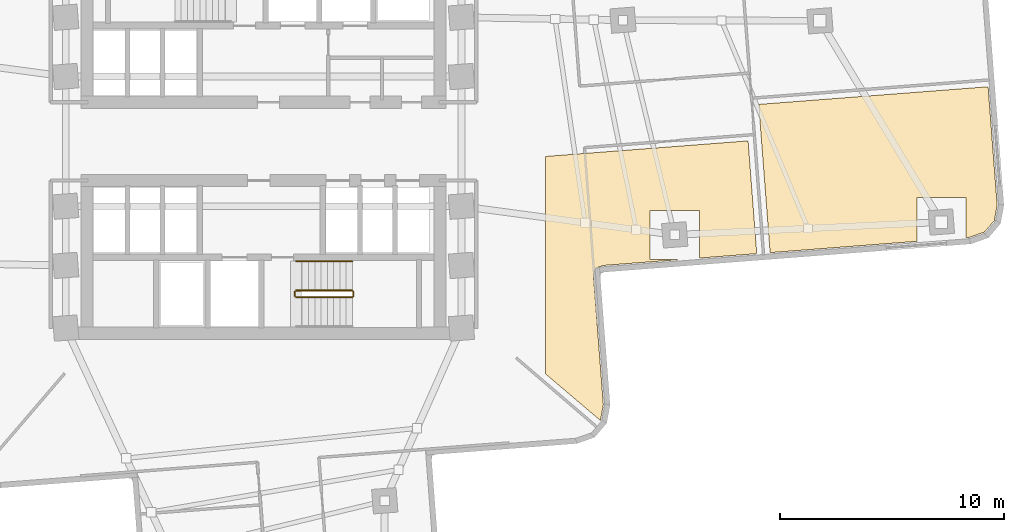
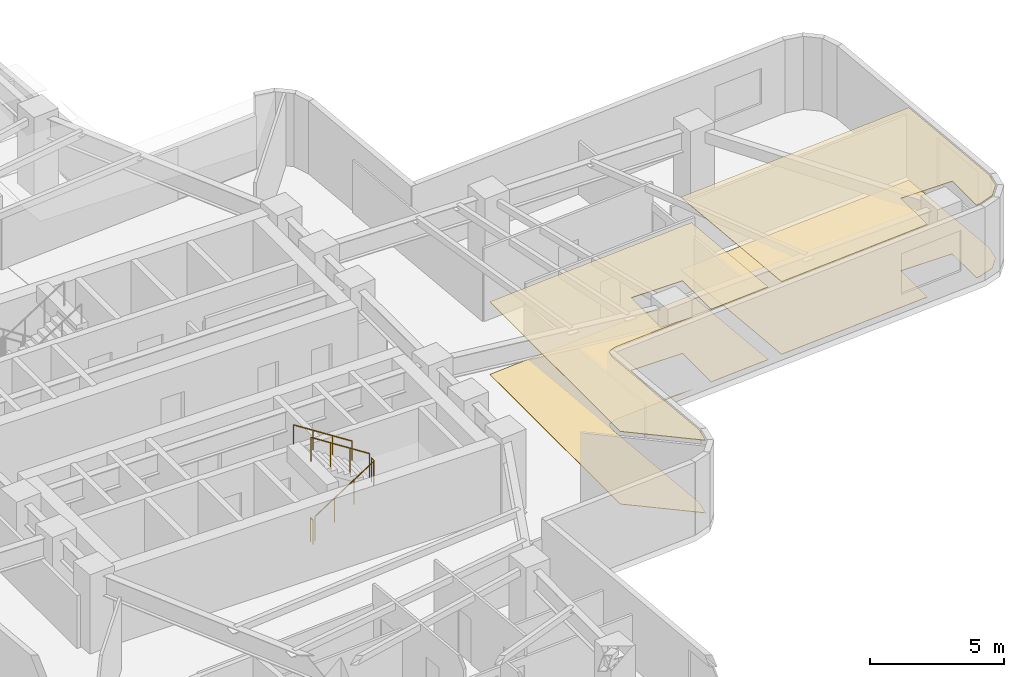
# One storey, part 13 of 15: 5 railings, 4 coverings.
"""IFC4 building model written with IfcOpenShell, lengths in metres."""

from ifc_helpers import new_model, si_unit, direction, frame, origin, origin_2d, place, context, subcontext, project, spatial, polyline, circle, outline, extrude, material, layer, layer_set, type_object, element, save


model = new_model("IFC4")

# Units and contexts
model_context = context("Model", 3, precision=1e-05, world=origin(), true_north=direction((0.0, 1.0)))
body_context = subcontext(model_context, "Body", "Model", "MODEL_VIEW")
ifc_project = project(units=[si_unit("LENGTHUNIT", "METRE"), si_unit("AREAUNIT", "SQUARE_METRE"), si_unit("VOLUMEUNIT", "CUBIC_METRE"), si_unit("PLANEANGLEUNIT", "RADIAN"), si_unit("MASSUNIT", "GRAM", prefix="KILO")], contexts=[model_context])

# Site, building, storey
site_placement = place(None, origin())
site = spatial("IfcSite", under=ifc_project, at=site_placement, CompositionType="ELEMENT")
building_placement = place(site_placement, origin())
building = spatial("IfcBuilding", under=site, at=building_placement, Name="Solmarez Civic Tower", CompositionType="ELEMENT")
storey_placement = place(building_placement, frame((0.0, 0.0, 60.47998046875)))
storey = spatial("IfcBuildingStorey", under=building, at=storey_placement, Name="L15", CompositionType="ELEMENT", Elevation=60.47998046875)

# Coverings
ifc_material_1 = material(Name="Perforated Mineral-Fibre Acoustic Ceiling")
ifc_layer_1 = layer(ifc_material_1, 0.02490234375)
ifc_layer_set_1 = layer_set([ifc_layer_1], Name="Perforated Mineral-Fibre Acoustic Ceiling")
covering_type_1 = type_object("IfcCoveringType", Name="COV-CEIL-ACOUSTIC", PredefinedType="CEILING", material=ifc_layer_set_1)
covering_1_placement = place(storey_placement, frame((0.0, 0.0, 3.294921875)))
element("IfcCovering", 1, at=covering_1_placement, inside=storey, type_object=covering_type_1, Name="L15 Suspended Acoustic Ceiling 3", PredefinedType="CEILING", context=body_context, shape_type="SweptSolid", body=[
    extrude(outline(polyline([(12.60009765625, -0.675048828125), (12.60009765625, -10.39208984375), (15.06396484375, -12.48095703125), (15.069091796875, -12.47509765625), (15.197998046875, -11.779052734375), (14.761962890625, -6.10302734375), (14.760009765625, -6.08203125), (14.760009765625, -6.06201171875), (14.761962890625, -6.041015625), (14.762939453125, -6.033935546875), (14.763916015625, -6.027099609375), (14.76611328125, -6.01806640625), (14.797119140625, -5.84912109375), (14.801025390625, -5.8291015625), (14.802978515625, -5.822021484375), (14.81298828125, -5.794921875), (14.819091796875, -5.781005859375), (14.822021484375, -5.77392578125), (14.8310546875, -5.7548828125), (14.842041015625, -5.737060546875), (14.85498046875, -5.719970703125), (14.860107421875, -5.714111328125), (14.864990234375, -5.7080078125), (14.8779296875, -5.693115234375), (14.883056640625, -5.68798828125), (14.89794921875, -5.675048828125), (14.904052734375, -5.669921875), (14.919921875, -5.657958984375), (14.93701171875, -5.64697265625), (14.955078125, -5.635986328125), (14.97607421875, -5.626953125), (14.998046875, -5.618896484375), (15.157958984375, -5.56201171875), (15.1640625, -5.56005859375), (15.18310546875, -5.554931640625), (15.202880859375, -5.551025390625), (15.2099609375, -5.550048828125), (15.217041015625, -5.549072265625), (15.23095703125, -5.548095703125), (18.659912109375, -5.283935546875), (17.291015625, -5.283935546875), (17.291015625, -3.083984375), (19.490966796875, -3.083984375), (19.490966796875, -5.219970703125), (22.06103515625, -5.02294921875), (21.673095703125, 0.02294921875), (12.60009765625, -0.675048828125)])), origin(), (0.0, 0.0, 1.0), 0.025146484375),
])
covering_2_placement = place(storey_placement, frame((0.0, 0.0, 3.294921875)))
element("IfcCovering", 2, at=covering_2_placement, inside=storey, type_object=covering_type_1, Name="L15 Suspended Acoustic Ceiling 4", PredefinedType="CEILING", context=body_context, shape_type="SweptSolid", body=[
    extrude(outline(polyline([(22.657958984375, -4.97705078125), (29.218017578125, -4.471923828125), (29.218017578125, -2.509033203125), (31.41796875, -2.509033203125), (31.41796875, -4.302978515625), (31.58203125, -4.2900390625), (32.25, -4.053955078125), (32.68603515625, -3.548095703125), (32.81494140625, -2.85107421875), (32.408935546875, 2.444091796875), (22.14794921875, 1.655029296875), (22.657958984375, -4.97705078125)])), origin(), (0.0, 0.0, 1.0), 0.025146484375),
])
ifc_material_2 = material(Name="Polished Tropical Stone Terrazzo Flooring", Category="masonry")
ifc_layer_2 = layer(ifc_material_2, 0.02001953125)
ifc_layer_set_2 = layer_set([ifc_layer_2], Name="Polished Tropical Stone Terrazzo Flooring")
covering_type_2 = type_object("IfcCoveringType", Name="COV-FLOOR-TERRAZZO", PredefinedType="FLOORING", material=ifc_layer_set_2)
covering_3_placement = place(storey_placement, origin())
element("IfcCovering", 3, at=covering_3_placement, inside=storey, type_object=covering_type_2, Name="L15 Terrazzo Floor Finish 3", PredefinedType="FLOORING", context=body_context, shape_type="SweptSolid", body=[
    extrude(outline(polyline([(12.60009765625, -0.675048828125), (12.60009765625, -10.39208984375), (15.06396484375, -12.48095703125), (15.069091796875, -12.47509765625), (15.197998046875, -11.779052734375), (14.761962890625, -6.10302734375), (14.760009765625, -6.08203125), (14.760009765625, -6.06201171875), (14.761962890625, -6.041015625), (14.762939453125, -6.033935546875), (14.763916015625, -6.027099609375), (14.76611328125, -6.01806640625), (14.797119140625, -5.84912109375), (14.801025390625, -5.8291015625), (14.802978515625, -5.822021484375), (14.81298828125, -5.794921875), (14.819091796875, -5.781005859375), (14.822021484375, -5.77392578125), (14.8310546875, -5.7548828125), (14.842041015625, -5.737060546875), (14.85498046875, -5.719970703125), (14.860107421875, -5.714111328125), (14.864990234375, -5.7080078125), (14.8779296875, -5.693115234375), (14.883056640625, -5.68798828125), (14.89794921875, -5.675048828125), (14.904052734375, -5.669921875), (14.919921875, -5.657958984375), (14.93701171875, -5.64697265625), (14.955078125, -5.635986328125), (14.97607421875, -5.626953125), (14.998046875, -5.618896484375), (15.157958984375, -5.56201171875), (15.1640625, -5.56005859375), (15.18310546875, -5.554931640625), (15.202880859375, -5.551025390625), (15.2099609375, -5.550048828125), (15.217041015625, -5.549072265625), (15.23095703125, -5.548095703125), (18.659912109375, -5.283935546875), (17.291015625, -5.283935546875), (17.291015625, -3.083984375), (19.490966796875, -3.083984375), (19.490966796875, -5.219970703125), (22.06103515625, -5.02294921875), (21.673095703125, 0.02294921875), (12.60009765625, -0.675048828125)])), origin(), (0.0, 0.0, 1.0), 0.02001953125),
])
covering_4_placement = place(storey_placement, origin())
element("IfcCovering", 4, at=covering_4_placement, inside=storey, type_object=covering_type_2, Name="L15 Terrazzo Floor Finish 4", PredefinedType="FLOORING", context=body_context, shape_type="SweptSolid", body=[
    extrude(outline(polyline([(22.657958984375, -4.97705078125), (29.218017578125, -4.471923828125), (29.218017578125, -2.509033203125), (31.41796875, -2.509033203125), (31.41796875, -4.302978515625), (31.58203125, -4.2900390625), (32.25, -4.053955078125), (32.68603515625, -3.548095703125), (32.81494140625, -2.85107421875), (32.408935546875, 2.444091796875), (22.14794921875, 1.655029296875), (22.657958984375, -4.97705078125)])), origin(), (0.0, 0.0, 1.0), 0.02001953125),
])

# Railings
ifc_material_3 = material(Name="Painted Steel Stairwell Safety Guard", Category="steel")
railing_type_1 = type_object("IfcRailingType", Name="GUARD-STAIR-1120", PredefinedType="BALUSTRADE", material=ifc_material_3)
railing_1_placement = place(storey_placement, frame((1.449951171875, -6.969970703125, 0.179931640625)))
element("IfcRailing", 5, at=railing_1_placement, inside=storey, type_object=railing_type_1, Name="L15 ST-2 stair guard 1", PredefinedType="BALUSTRADE", context=body_context, shape_type="SweptSolid", body=[
    extrude(circle(Radius=0.02392578125, at=origin_2d()), frame((0.0, 0.0, 1.09619140625), z_axis=(0.841162588446, 0.0, 0.540782303519), x_axis=(0.0, 1.0, 0.0)), (0.0, 0.0, 1.0), 2.995849609375),
    extrude(circle(Radius=0.02099609375, at=origin_2d()), origin(), (0.0, 0.0, 1.0), 1.072021484375),
    extrude(circle(Radius=0.02099609375, at=origin_2d()), frame((0.840087890625, 0.0, 0.5400390625)), (0.0, 0.0, 1.0), 1.072021484375),
    extrude(circle(Radius=0.02099609375, at=origin_2d()), frame((1.679931640625, 0.0, 1.080078125)), (0.0, 0.0, 1.0), 1.072021484375),
    extrude(circle(Radius=0.02099609375, at=origin_2d()), frame((2.52001953125, 0.0, 1.6201171875)), (0.0, 0.0, 1.0), 1.072021484375),
])
railing_2_placement = place(storey_placement, frame((4.02001953125, -6.919921875, 1.800048828125)))
element("IfcRailing", 6, at=railing_2_placement, inside=storey, type_object=railing_type_1, Name="L15 ST-2 stair guard 2", PredefinedType="BALUSTRADE", context=body_context, shape_type="SweptSolid", body=[
    extrude(circle(Radius=0.02392578125, at=origin_2d()), frame((0.0, 0.0, 1.09619140625), z_axis=(0.0, 1.0, 0.0), x_axis=(-1.0, 0.0, 0.0)), (0.0, 0.0, 1.0), 0.199951171875),
    extrude(circle(Radius=0.02099609375, at=origin_2d()), origin(), (0.0, 0.0, 1.0), 1.072021484375),
    extrude(circle(Radius=0.02099609375, at=origin_2d()), frame((0.0, 0.199951171875, 0.0)), (0.0, 0.0, 1.0), 1.072021484375),
])
railing_3_placement = place(storey_placement, frame((3.969970703125, -6.669921875, 1.97998046875)))
element("IfcRailing", 7, at=railing_3_placement, inside=storey, type_object=railing_type_1, Name="L15 ST-2 stair guard 3", PredefinedType="BALUSTRADE", context=body_context, shape_type="SweptSolid", body=[
    extrude(circle(Radius=0.02392578125, at=origin_2d()), frame((0.0, 0.0, 1.09619140625), z_axis=(-0.841162588446, 0.0, 0.540782303519), x_axis=(0.0, -1.0, 0.0)), (0.0, 0.0, 1.0), 2.995849609375),
    extrude(circle(Radius=0.02099609375, at=origin_2d()), origin(), (0.0, 0.0, 1.0), 1.072021484375),
    extrude(circle(Radius=0.02099609375, at=origin_2d()), frame((-0.840087890625, 0.0, 0.5400390625)), (0.0, 0.0, 1.0), 1.072021484375),
    extrude(circle(Radius=0.02099609375, at=origin_2d()), frame((-1.679931640625, 0.0, 1.080078125)), (0.0, 0.0, 1.0), 1.072021484375),
    extrude(circle(Radius=0.02099609375, at=origin_2d()), frame((-2.52001953125, 0.0, 1.6201171875)), (0.0, 0.0, 1.0), 1.072021484375),
])
railing_4_placement = place(storey_placement, frame((1.39990234375, -6.919921875, 0.0)))
element("IfcRailing", 8, at=railing_4_placement, inside=storey, type_object=railing_type_1, Name="L15 ST-2 stair guard 4", PredefinedType="BALUSTRADE", context=body_context, shape_type="SweptSolid", body=[
    extrude(circle(Radius=0.02392578125, at=origin_2d()), frame((0.0, 0.0, 1.09619140625), z_axis=(0.0, 1.0, 0.0), x_axis=(-1.0, 0.0, 0.0)), (0.0, 0.0, 1.0), 0.199951171875),
    extrude(circle(Radius=0.02099609375, at=origin_2d()), origin(), (0.0, 0.0, 1.0), 1.072021484375),
    extrude(circle(Radius=0.02099609375, at=origin_2d()), frame((0.0, 0.199951171875, 0.0)), (0.0, 0.0, 1.0), 1.072021484375),
])
ifc_material_4 = material(Name="Brushed Stainless Steel Tube Handrail", Category="steel")
railing_type_2 = type_object("IfcRailingType", Name="HANDRAIL-STAIR-900", PredefinedType="HANDRAIL", material=ifc_material_4)
railing_5_placement = place(storey_placement, frame((3.969970703125, -5.3701171875, 1.97998046875)))
element("IfcRailing", 9, at=railing_5_placement, inside=storey, type_object=railing_type_2, Name="L15 ST-2 stair handrail 2", PredefinedType="HANDRAIL", context=body_context, shape_type="SweptSolid", body=[
    extrude(circle(Radius=0.02392578125, at=origin_2d()), frame((0.0, 0.0, 0.8759765625), z_axis=(-0.841162588446, 0.0, 0.540782303519), x_axis=(0.0, -1.0, 0.0)), (0.0, 0.0, 1.0), 2.995849609375),
    extrude(circle(Radius=0.02099609375, at=origin_2d()), origin(), (0.0, 0.0, 1.0), 0.851806640625),
    extrude(circle(Radius=0.02099609375, at=origin_2d()), frame((-0.840087890625, 0.0, 0.5400390625)), (0.0, 0.0, 1.0), 0.851806640625),
    extrude(circle(Radius=0.02099609375, at=origin_2d()), frame((-1.679931640625, 0.0, 1.080078125)), (0.0, 0.0, 1.0), 0.851806640625),
    extrude(circle(Radius=0.02099609375, at=origin_2d()), frame((-2.52001953125, 0.0, 1.6201171875)), (0.0, 0.0, 1.0), 0.851806640625),
])

save(model, "model.ifc")
